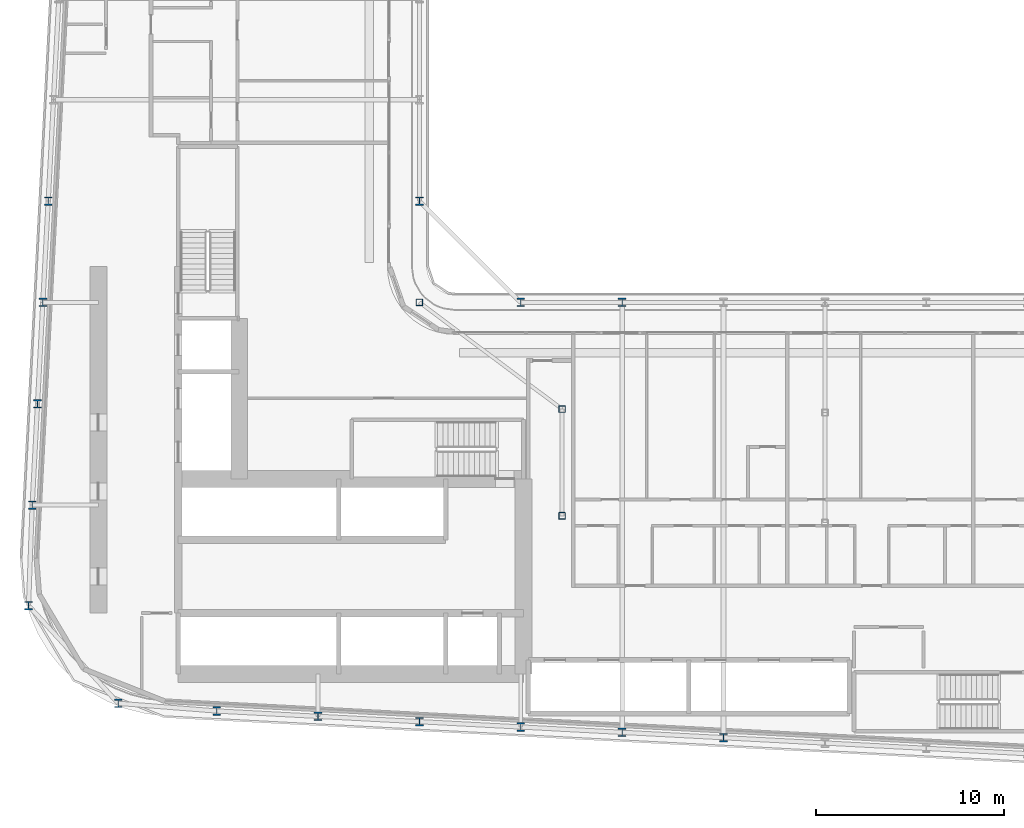
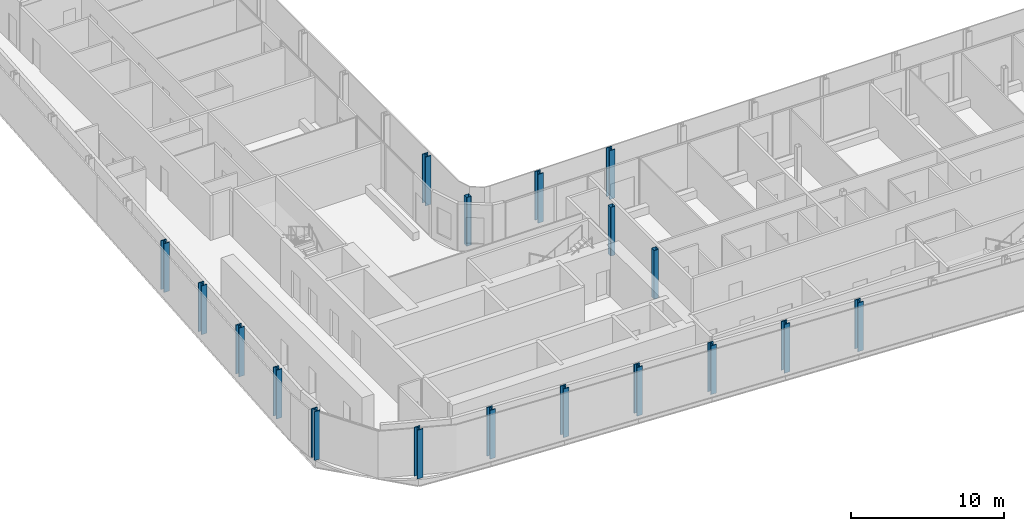
# One storey, part 1 of 28: 18 columns.
"""IFC4 building model written with IfcOpenShell, lengths in metres."""

from ifc_helpers import new_model, si_unit, direction, frame, origin, origin_2d, place, context, subcontext, project, spatial, hollow_rectangle, i_section, extrude, material, material_profile, profile_set, type_object, element, save


model = new_model("IFC4")

# Units and contexts
model_context = context("Model", 3, precision=1e-05, world=origin(), true_north=direction((0.0, 1.0)))
body_context = subcontext(model_context, "Body", "Model", "MODEL_VIEW")
ifc_project = project(units=[si_unit("LENGTHUNIT", "METRE"), si_unit("AREAUNIT", "SQUARE_METRE"), si_unit("VOLUMEUNIT", "CUBIC_METRE"), si_unit("PLANEANGLEUNIT", "RADIAN"), si_unit("MASSUNIT", "GRAM", prefix="KILO")], contexts=[model_context])

# Site, building, storey
site_placement = place(None, origin())
site = spatial("IfcSite", under=ifc_project, at=site_placement, CompositionType="ELEMENT")
building_placement = place(site_placement, origin())
building = spatial("IfcBuilding", under=site, at=building_placement, Name="Kheshtan School and Residences Tower", CompositionType="ELEMENT")
storey_placement = place(building_placement, frame((0.0, 0.0, 94.10009765625)))
storey = spatial("IfcBuildingStorey", under=building, at=storey_placement, Name="L21", CompositionType="ELEMENT", Elevation=94.10009765625)

# Columns
ifc_material_1 = material(Name="Steel ASTM A992 Grade 50", Category="steel")
ifc_material_profile_1 = material_profile(ifc_material_1, i_section(OverallWidth=0.41796875, OverallDepth=0.455078125, WebThickness=0.042236328125, FlangeThickness=0.067626953125, FilletRadius=0.013671875, at=origin_2d()), Name="W360x551")
ifc_profile_set_1 = profile_set([ifc_material_profile_1], Name="Steel ASTM A992 Grade 50")
column_type_1 = type_object("IfcColumnType", Name="Column C2 W360x551 ASTM A992 Grade 50", PredefinedType="COLUMN", material=ifc_profile_set_1)
for number, where, z_axis, x_axis, name in (
    (1, (63.800048828125, 22.410888671875, 0.0), (0.0, 0.0, 1.0), (1.0, 0.0, 0.0), "Column C016"),
    (2, (58.39990234375, 22.695068359375, 0.0), (0.0, 0.0, 1.0), (1.0, 0.0, 0.0), "Column C018"),
    (3, (53.0, 22.97998046875, 0.0), (0.0, 0.0, 1.0), (1.0, 0.0, 0.0), "Column C019"),
    (4, (47.60009765625, 23.263916015625, 0.0), (0.0, 0.0, 1.0), (1.0, 0.0, 0.0), "Column C020"),
    (5, (42.199951171875, 23.548095703125, 0.0), (0.0, 0.0, 1.0), (1.0, 0.0, 0.0), "Column C021"),
    (6, (36.800048828125, 23.83203125, 0.0), (0.0, 0.0, 1.0), (1.0, 0.0, 0.0), "Column C022"),
    (7, (31.554931640625, 24.241943359375, 0.0), (0.0, 0.0, 1.0), (1.0, 0.0, 0.0), "Column C023"),
    (8, (26.77392578125, 29.445068359375, 0.0), (0.0, 0.0, 1.0), (1.0, 0.0, 0.0), "Column C036"),
    (9, (26.968994140625, 34.800048828125, 0.0), (0.0, 0.0, 1.0), (1.0, 0.0, 0.0), "Column C052"),
    (10, (27.2529296875, 40.199951171875, 0.0), (0.0, 0.0, 1.0), (1.0, 0.0, 0.0), "Column C056"),
    (11, (27.537109375, 45.60009765625, 0.0), (0.0, 0.0, 1.0), (1.0, 0.0, 0.0), "Column C059"),
    (12, (53.0, 45.60009765625, 0.0), (0.0, 0.0, 1.0), (1.0, 0.0, 0.0), "Column C061"),
    (13, (58.39990234375, 45.60009765625, 0.0), (0.0, 0.0, 1.0), (1.0, 0.0, 0.0), "Column C062"),
    (14, (27.822021484375, 51.0, 0.0), (0.0, 0.0, 1.0), (1.0, 0.0, 0.0), "Column C078"),
    (15, (47.60009765625, 51.0, 0.0), (0.0, 0.0, 1.0), (1.0, 0.0, 0.0), "Column C079"),
):
    element("IfcColumn", number, at=place(storey_placement, frame(where, z_axis=z_axis, x_axis=x_axis)), inside=storey, type_object=column_type_1, Name=name, PredefinedType="COLUMN", context=body_context, shape_type="SweptSolid", body=[
        extrude(i_section(OverallWidth=0.41796875, OverallDepth=0.455078125, WebThickness=0.042236328125, FlangeThickness=0.067626953125, FilletRadius=0.013671875, at=origin_2d()), origin(), (0.0, 0.0, 1.0), 3.89990234375),
    ])
ifc_material_2 = material(Name="Steel ASTM A500 Grade C", Category="steel")
ifc_material_profile_2 = material_profile(ifc_material_2, hollow_rectangle(XDim=0.35595703125, YDim=0.35595703125, WallThickness=0.015869140625, InnerFilletRadius=0.015869140625, OuterFilletRadius=0.03173828125, at=origin_2d()), Name="HSS 356x356x15.9")
ifc_profile_set_2 = profile_set([ifc_material_profile_2], Name="Steel ASTM A500 Grade C")
column_type_2 = type_object("IfcColumnType", Name="Column IC1 HSS 356x356x15.9 ASTM A500 Grade C", PredefinedType="COLUMN", material=ifc_profile_set_2)
for number, where, z_axis, x_axis, name in (
    (16, (55.199951171875, 34.23193359375, 0.0), (0.0, 0.0, 1.0), (1.0, 0.0, 0.0), "Column C051"),
    (17, (55.199951171875, 39.916015625, 0.0), (0.0, 0.0, 1.0), (1.0, 0.0, 0.0), "Column C055"),
    (18, (47.60009765625, 45.60009765625, 0.0), (0.0, 0.0, 1.0), (1.0, 0.0, 0.0), "Column C060"),
):
    element("IfcColumn", number, at=place(storey_placement, frame(where, z_axis=z_axis, x_axis=x_axis)), inside=storey, type_object=column_type_2, Name=name, PredefinedType="COLUMN", context=body_context, shape_type="SweptSolid", body=[
        extrude(hollow_rectangle(XDim=0.35595703125, YDim=0.35595703125, WallThickness=0.015869140625, InnerFilletRadius=0.015869140625, OuterFilletRadius=0.03173828125, at=origin_2d()), origin(), (0.0, 0.0, 1.0), 3.89990234375),
    ])

save(model, "model.ifc")
